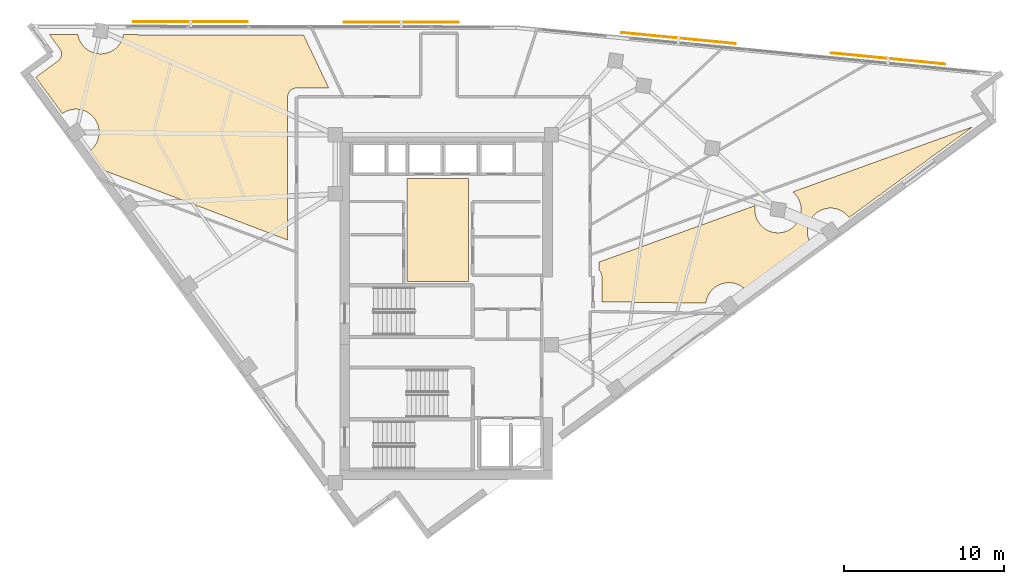
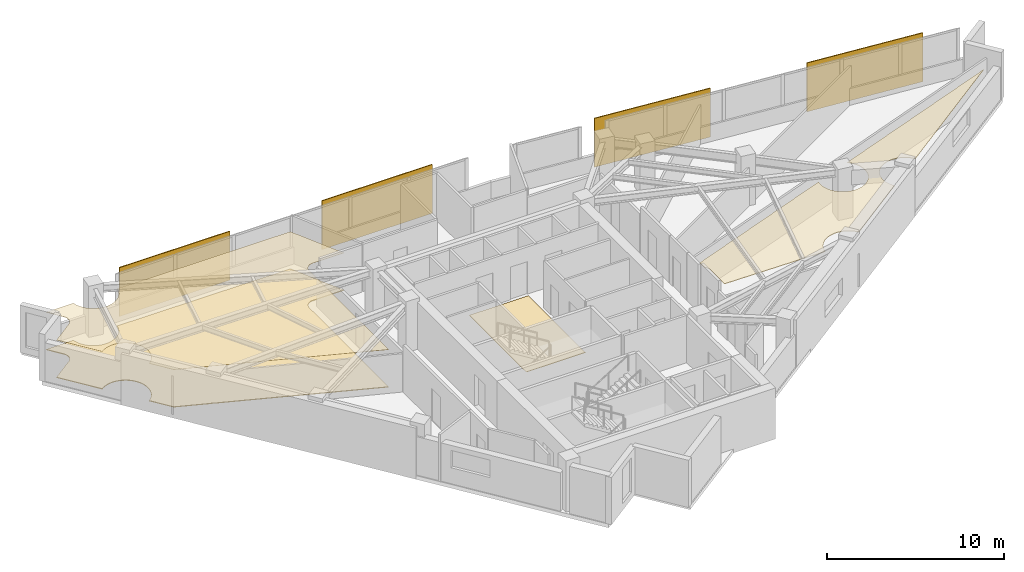
# One storey, part 14 of 14: 4 coverings, 4 shading devices.
"""IFC4 building model written with IfcOpenShell, lengths in metres."""

from ifc_helpers import new_model, si_unit, direction, frame, origin, origin_2d, place, context, subcontext, project, spatial, polyline, rectangle, outline, extrude, material, layer, layer_set, type_object, element, save


model = new_model("IFC4")

# Units and contexts
model_context = context("Model", 3, precision=1e-05, world=origin(), true_north=direction((0.0, 1.0)))
body_context = subcontext(model_context, "Body", "Model", "MODEL_VIEW")
ifc_project = project(units=[si_unit("LENGTHUNIT", "METRE"), si_unit("AREAUNIT", "SQUARE_METRE"), si_unit("VOLUMEUNIT", "CUBIC_METRE"), si_unit("PLANEANGLEUNIT", "RADIAN"), si_unit("MASSUNIT", "GRAM", prefix="KILO")], contexts=[model_context])

# Site, building, storey
site_placement = place(None, origin())
site = spatial("IfcSite", under=ifc_project, at=site_placement, CompositionType="ELEMENT")
building_placement = place(site_placement, origin())
building = spatial("IfcBuilding", under=site, at=building_placement, Name="Narakoshi Arena Tower", CompositionType="ELEMENT")
storey_placement = place(building_placement, frame((0.0, 0.0, 250.179931640625)))
storey = spatial("IfcBuildingStorey", under=building, at=storey_placement, Name="L68", CompositionType="ELEMENT", Elevation=250.179931640625)

# Coverings
ifc_material_1 = material(Name="Acoustic mineral-fibre ceiling tile")
ifc_layer_1 = layer(ifc_material_1, 0.02001953125)
ifc_layer_set_1 = layer_set([ifc_layer_1], Name="Acoustic mineral-fibre ceiling tile")
covering_type_1 = type_object("IfcCoveringType", Name="COV-CLG-AC20", PredefinedType="CEILING", material=ifc_layer_set_1)
covering_1_placement = place(storey_placement, frame((0.0, 0.0, 2.590087890625)))
element("IfcCovering", 1, at=covering_1_placement, inside=storey, type_object=covering_type_1, Name="L68 Suspended Acoustic Ceiling 1", PredefinedType="CEILING", context=body_context, shape_type="SweptSolid", body=[
    extrude(outline(polyline([(55.8818359375, 62.773193359375), (55.88720703125, 62.73779296875), (55.921630859375, 62.599609375), (55.969482421875, 62.4658203125), (56.030517578125, 62.337158203125), (56.103515625, 62.215087890625), (56.188232421875, 62.1005859375), (56.283935546875, 61.995361328125), (56.389404296875, 61.899658203125), (56.503662109375, 61.81494140625), (56.625732421875, 61.74169921875), (56.75439453125, 61.680908203125), (56.88818359375, 61.633056640625), (57.0263671875, 61.598388671875), (57.1669921875, 61.57763671875), (57.30908203125, 61.570556640625), (57.451416015625, 61.57763671875), (57.592041015625, 61.598388671875), (57.72998046875, 61.633056640625), (57.864013671875, 61.680908203125), (57.99267578125, 61.74169921875), (58.11474609375, 61.81494140625), (58.22900390625, 61.899658203125), (58.33447265625, 61.995361328125), (58.43017578125, 62.1005859375), (58.514892578125, 62.215087890625), (58.587890625, 62.337158203125), (58.648681640625, 62.4658203125), (58.69677734375, 62.599609375), (58.731201171875, 62.73779296875), (58.73583984375, 62.76806640625), (70.01708984375, 62.74755859375), (71.59765625, 59.426513671875), (69.573486328125, 59.426513671875), (69.519775390625, 59.423828125), (69.46630859375, 59.415771484375), (69.413818359375, 59.402587890625), (69.363037109375, 59.384521484375), (69.314208984375, 59.361572265625), (69.26806640625, 59.333740234375), (69.224609375, 59.301513671875), (69.184814453125, 59.265380859375), (69.1484375, 59.225341796875), (69.1162109375, 59.181884765625), (69.08837890625, 59.1357421875), (69.0654296875, 59.0869140625), (69.04736328125, 59.0361328125), (69.0341796875, 58.983642578125), (69.026123046875, 58.930419921875), (69.023681640625, 58.87646484375), (69.023681640625, 49.90478515625), (59.7412109375, 53.421630859375), (59.6181640625, 53.47998046875), (59.484130859375, 53.52783203125), (59.416015625, 53.544921875), (57.5185546875, 54.263916015625), (56.61767578125, 55.492431640625), (56.673095703125, 55.533447265625), (56.778564453125, 55.629150390625), (56.874267578125, 55.734619140625), (56.958984375, 55.848876953125), (57.031982421875, 55.970947265625), (57.093017578125, 56.099609375), (57.140869140625, 56.2333984375), (57.17529296875, 56.37158203125), (57.1962890625, 56.51220703125), (57.203369140625, 56.654296875), (57.1962890625, 56.79638671875), (57.17529296875, 56.937255859375), (57.140869140625, 57.0751953125), (57.093017578125, 57.209228515625), (57.031982421875, 57.337890625), (56.958984375, 57.4599609375), (56.874267578125, 57.57421875), (56.778564453125, 57.6796875), (56.673095703125, 57.775390625), (56.558837890625, 57.860107421875), (56.436767578125, 57.93310546875), (56.30810546875, 57.993896484375), (56.17431640625, 58.0419921875), (56.0361328125, 58.076416015625), (55.8955078125, 58.097412109375), (55.75341796875, 58.1044921875), (55.611083984375, 58.097412109375), (55.470458984375, 58.076416015625), (55.33251953125, 58.0419921875), (55.198486328125, 57.993896484375), (55.06982421875, 57.93310546875), (54.94775390625, 57.860107421875), (54.90478515625, 57.828369140625), (53.23779296875, 60.102294921875), (54.62353515625, 61.118408203125), (54.66552734375, 61.152587890625), (54.703857421875, 61.1904296875), (54.73828125, 61.23193359375), (54.7685546875, 61.276611328125), (54.794189453125, 61.32421875), (54.815185546875, 61.373779296875), (54.831298828125, 61.425537109375), (54.842041015625, 61.478271484375), (54.84765625, 61.531982421875), (54.847900390625, 61.5859375), (54.843017578125, 61.6396484375), (54.83251953125, 61.692626953125), (54.8173828125, 61.744384765625), (54.796875, 61.79443359375), (54.771728515625, 61.84228515625), (54.741943359375, 61.88720703125), (54.08984375, 62.7763671875), (55.8818359375, 62.773193359375)])), origin(), (0.0, 0.0, 1.0), 0.02001953125),
])
ifc_material_2 = material(Name="Slatted oak acoustic timber baffle", Category="wood")
ifc_layer_2 = layer(ifc_material_2, 0.034912109375)
ifc_layer_set_2 = layer_set([ifc_layer_2], Name="Slatted oak acoustic timber baffle")
covering_type_2 = type_object("IfcCoveringType", Name="COV-CLG-WD35", PredefinedType="CEILING", material=ifc_layer_set_2)
covering_2_placement = place(storey_placement, frame((0.0, 0.0, 2.574951171875)))
element("IfcCovering", 2, at=covering_2_placement, inside=storey, type_object=covering_type_2, Name="L68 Suspended Acoustic Ceiling 2", PredefinedType="CEILING", context=body_context, shape_type="SweptSolid", body=[
    extrude(outline(polyline([(88.699951171875, 47.6201171875), (88.697509765625, 47.673828125), (88.689453125, 47.727294921875), (88.67626953125, 47.77978515625), (88.658203125, 47.83056640625), (88.635009765625, 47.87939453125), (88.607421875, 47.925537109375), (88.5751953125, 47.968994140625), (88.538818359375, 48.0087890625), (88.5263671875, 48.020263671875), (88.5263671875, 48.52294921875), (98.31689453125, 52.06689453125), (98.299560546875, 51.94921875), (98.29248046875, 51.80712890625), (98.299560546875, 51.6650390625), (98.320556640625, 51.524169921875), (98.35498046875, 51.38623046875), (98.403076171875, 51.252197265625), (98.4638671875, 51.12353515625), (98.537109375, 51.00146484375), (98.62158203125, 50.88720703125), (98.71728515625, 50.78173828125), (98.82275390625, 50.686279296875), (98.93701171875, 50.6015625), (99.05908203125, 50.5283203125), (99.187744140625, 50.467529296875), (99.32177734375, 50.41943359375), (99.459716796875, 50.385009765625), (99.6005859375, 50.364013671875), (99.74267578125, 50.357177734375), (99.884765625, 50.364013671875), (100.025390625, 50.385009765625), (100.16357421875, 50.41943359375), (100.297607421875, 50.467529296875), (100.426025390625, 50.5283203125), (100.548095703125, 50.6015625), (100.66259765625, 50.686279296875), (100.767822265625, 50.78173828125), (100.863525390625, 50.88720703125), (100.9482421875, 51.00146484375), (101.021484375, 51.12353515625), (101.082275390625, 51.252197265625), (101.130126953125, 51.38623046875), (101.164794921875, 51.524169921875), (101.185546875, 51.6650390625), (101.192626953125, 51.80712890625), (101.185546875, 51.94921875), (101.164794921875, 52.090087890625), (101.130126953125, 52.22802734375), (101.082275390625, 52.362060546875), (101.021484375, 52.490478515625), (100.9482421875, 52.61279296875), (100.863525390625, 52.72705078125), (100.767822265625, 52.83251953125), (100.672119140625, 52.919189453125), (111.9423828125, 56.998779296875), (104.194580078125, 51.31787109375), (104.1533203125, 51.37353515625), (104.057861328125, 51.47900390625), (103.952392578125, 51.574462890625), (103.838134765625, 51.6591796875), (103.716064453125, 51.732421875), (103.58740234375, 51.793212890625), (103.453369140625, 51.84130859375), (103.3154296875, 51.875732421875), (103.174560546875, 51.896484375), (103.032470703125, 51.903564453125), (102.890380859375, 51.896484375), (102.74951171875, 51.875732421875), (102.611572265625, 51.84130859375), (102.4775390625, 51.793212890625), (102.34912109375, 51.732421875), (102.226806640625, 51.6591796875), (102.112548828125, 51.574462890625), (102.007080078125, 51.47900390625), (101.91162109375, 51.37353515625), (101.826904296875, 51.25927734375), (101.753662109375, 51.13720703125), (101.69287109375, 51.008544921875), (101.64501953125, 50.87451171875), (101.6103515625, 50.736572265625), (101.589599609375, 50.595703125), (101.58251953125, 50.45361328125), (101.589599609375, 50.3115234375), (101.6103515625, 50.170654296875), (101.64501953125, 50.03271484375), (101.69287109375, 49.898681640625), (101.753662109375, 49.77001953125), (101.826904296875, 49.64794921875), (101.858642578125, 49.605224609375), (97.825439453125, 46.64794921875), (97.7841796875, 46.703369140625), (97.688720703125, 46.808837890625), (97.583251953125, 46.904296875), (97.468994140625, 46.989013671875), (97.346923828125, 47.062255859375), (97.21826171875, 47.123046875), (97.084228515625, 47.171142578125), (96.9462890625, 47.20556640625), (96.805419921875, 47.2265625), (96.663330078125, 47.2333984375), (96.521240234375, 47.2265625), (96.380615234375, 47.20556640625), (96.242431640625, 47.171142578125), (96.1083984375, 47.123046875), (95.97998046875, 47.062255859375), (95.85791015625, 46.989013671875), (95.743408203125, 46.904296875), (95.63818359375, 46.808837890625), (95.54248046875, 46.703369140625), (95.457763671875, 46.589111328125), (95.384521484375, 46.467041015625), (95.32373046875, 46.33837890625), (95.27587890625, 46.204345703125), (95.2412109375, 46.06640625), (95.2236328125, 45.947021484375), (88.699951171875, 46.032470703125), (88.699951171875, 47.6201171875)])), origin(), (0.0, 0.0, 1.0), 0.03515625),
])
ifc_material_3 = material(Name="Raised steel access floor panel", Category="steel")
ifc_layer_3 = layer(ifc_material_3, 0.044921875)
ifc_layer_set_3 = layer_set([ifc_layer_3], Name="Raised steel access floor panel")
covering_type_3 = type_object("IfcCoveringType", Name="COV-FLR-RF45", PredefinedType="FLOORING", material=ifc_layer_set_3)
covering_3_placement = place(storey_placement, origin())
element("IfcCovering", 3, at=covering_3_placement, inside=storey, type_object=covering_type_3, Name="L68 Raised Steel Access Floor", PredefinedType="FLOORING", context=body_context, shape_type="SweptSolid", body=[
    extrude(outline(polyline([(55.8818359375, 62.773193359375), (55.88720703125, 62.73779296875), (55.921630859375, 62.599609375), (55.969482421875, 62.4658203125), (56.030517578125, 62.337158203125), (56.103515625, 62.215087890625), (56.188232421875, 62.1005859375), (56.283935546875, 61.995361328125), (56.389404296875, 61.899658203125), (56.503662109375, 61.81494140625), (56.625732421875, 61.74169921875), (56.75439453125, 61.680908203125), (56.88818359375, 61.633056640625), (57.0263671875, 61.598388671875), (57.1669921875, 61.57763671875), (57.30908203125, 61.570556640625), (57.451416015625, 61.57763671875), (57.592041015625, 61.598388671875), (57.72998046875, 61.633056640625), (57.864013671875, 61.680908203125), (57.99267578125, 61.74169921875), (58.11474609375, 61.81494140625), (58.22900390625, 61.899658203125), (58.33447265625, 61.995361328125), (58.43017578125, 62.1005859375), (58.514892578125, 62.215087890625), (58.587890625, 62.337158203125), (58.648681640625, 62.4658203125), (58.69677734375, 62.599609375), (58.731201171875, 62.73779296875), (58.73583984375, 62.76806640625), (70.01708984375, 62.74755859375), (71.59765625, 59.426513671875), (69.573486328125, 59.426513671875), (69.519775390625, 59.423828125), (69.46630859375, 59.415771484375), (69.413818359375, 59.402587890625), (69.363037109375, 59.384521484375), (69.314208984375, 59.361572265625), (69.26806640625, 59.333740234375), (69.224609375, 59.301513671875), (69.184814453125, 59.265380859375), (69.1484375, 59.225341796875), (69.1162109375, 59.181884765625), (69.08837890625, 59.1357421875), (69.0654296875, 59.0869140625), (69.04736328125, 59.0361328125), (69.0341796875, 58.983642578125), (69.026123046875, 58.930419921875), (69.023681640625, 58.87646484375), (69.023681640625, 49.90478515625), (59.7412109375, 53.421630859375), (59.6181640625, 53.47998046875), (59.484130859375, 53.52783203125), (59.416015625, 53.544921875), (57.5185546875, 54.263916015625), (56.61767578125, 55.492431640625), (56.673095703125, 55.533447265625), (56.778564453125, 55.629150390625), (56.874267578125, 55.734619140625), (56.958984375, 55.848876953125), (57.031982421875, 55.970947265625), (57.093017578125, 56.099609375), (57.140869140625, 56.2333984375), (57.17529296875, 56.37158203125), (57.1962890625, 56.51220703125), (57.203369140625, 56.654296875), (57.1962890625, 56.79638671875), (57.17529296875, 56.937255859375), (57.140869140625, 57.0751953125), (57.093017578125, 57.209228515625), (57.031982421875, 57.337890625), (56.958984375, 57.4599609375), (56.874267578125, 57.57421875), (56.778564453125, 57.6796875), (56.673095703125, 57.775390625), (56.558837890625, 57.860107421875), (56.436767578125, 57.93310546875), (56.30810546875, 57.993896484375), (56.17431640625, 58.0419921875), (56.0361328125, 58.076416015625), (55.8955078125, 58.097412109375), (55.75341796875, 58.1044921875), (55.611083984375, 58.097412109375), (55.470458984375, 58.076416015625), (55.33251953125, 58.0419921875), (55.198486328125, 57.993896484375), (55.06982421875, 57.93310546875), (54.94775390625, 57.860107421875), (54.90478515625, 57.828369140625), (53.23779296875, 60.102294921875), (54.62353515625, 61.118408203125), (54.66552734375, 61.152587890625), (54.703857421875, 61.1904296875), (54.73828125, 61.23193359375), (54.7685546875, 61.276611328125), (54.794189453125, 61.32421875), (54.815185546875, 61.373779296875), (54.831298828125, 61.425537109375), (54.842041015625, 61.478271484375), (54.84765625, 61.531982421875), (54.847900390625, 61.5859375), (54.843017578125, 61.6396484375), (54.83251953125, 61.692626953125), (54.8173828125, 61.744384765625), (54.796875, 61.79443359375), (54.771728515625, 61.84228515625), (54.741943359375, 61.88720703125), (54.08984375, 62.7763671875), (55.8818359375, 62.773193359375)])), origin(), (0.0, 0.0, 1.0), 0.045166015625),
])
ifc_material_4 = material(Name="Honed granite stone paving", Category="masonry")
ifc_layer_4 = layer(ifc_material_4, 0.030029296875)
ifc_layer_set_4 = layer_set([ifc_layer_4], Name="Honed granite stone paving")
covering_type_4 = type_object("IfcCoveringType", Name="COV-FLR-ST30", PredefinedType="FLOORING", material=ifc_layer_set_4)
covering_4_placement = place(storey_placement, origin())
element("IfcCovering", 4, at=covering_4_placement, inside=storey, type_object=covering_type_4, Name="L68 Lift Lobby Granite Flooring", PredefinedType="FLOORING", context=body_context, shape_type="SweptSolid", body=[
    extrude(outline(polyline([(76.5, 47.300048828125), (80.35009765625, 47.300048828125), (80.35009765625, 53.75), (76.5, 53.75), (76.5, 47.300048828125)])), origin(), (0.0, 0.0, 1.0), 0.030029296875),
])

# Shading devices
ifc_material_5 = material(Name="Perforated bronze ceramic-metal composite")
ifc_layer_5 = layer(ifc_material_5, 0.06005859375)
ifc_layer_set_5 = layer_set([ifc_layer_5], Name="Perforated bronze ceramic-metal composite")
shading_device_type = type_object("IfcShadingDeviceType", Name="SHD-SCR-BRZ2", PredefinedType="USERDEFINED", material=ifc_layer_set_5)
for number, where, z_axis, x_axis, name in (
    (5, (106.64697265625, 61.275390625, 0.0), (0.0, 0.0, 1.0), (-0.995298664587, 0.096853333819, 0.0), "L68 Perforated Bronze Solar Screen 1-1"),
    (6, (93.509033203125, 62.553955078125, 0.0), (0.0, 0.0, 1.0), (-0.995298664587, 0.096853333819, 0.0), "L68 Perforated Bronze Solar Screen 1-2"),
    (7, (76.1328125, 63.556396484375, 0.0), (0.0, 0.0, 1.0), (-0.999998352629, 0.001815141425, 0.0), "L68 Perforated Bronze Solar Screen 2-1"),
    (8, (62.932861328125, 63.580322265625, 0.0), (0.0, 0.0, 1.0), (-0.999998352629, 0.001815141425, 0.0), "L68 Perforated Bronze Solar Screen 2-2"),
):
    element("IfcShadingDevice", number, at=place(storey_placement, frame(where, z_axis=z_axis, x_axis=x_axis)), inside=storey, type_object=shading_device_type, Name=name, ObjectType="SOLAR SCREEN", PredefinedType="USERDEFINED", context=body_context, shape_type="SweptSolid", body=[
        extrude(rectangle(XDim=7.199951171875, YDim=0.06005859375, at=origin_2d()), origin(), (0.0, 0.0, 1.0), 3.3701171875),
    ])

save(model, "model.ifc")
